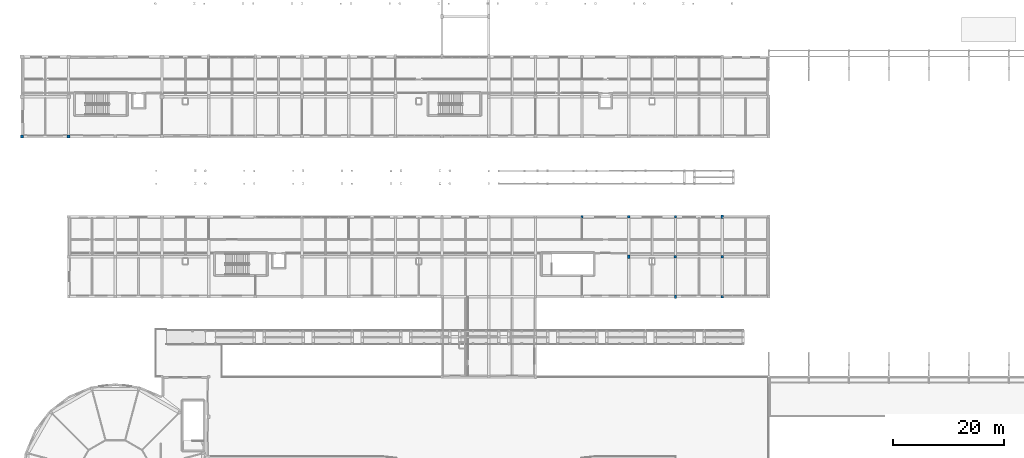
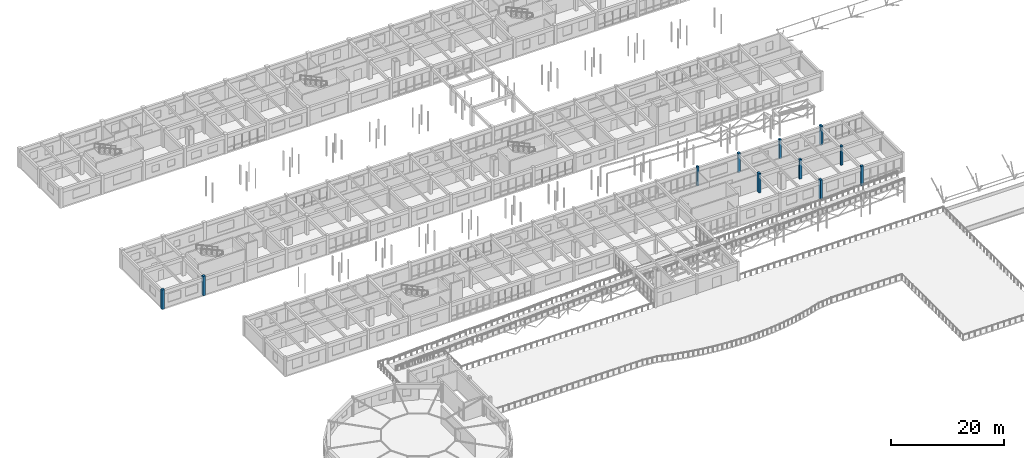
# One storey, part 6 of 90: 11 columns.
"""IFC4 building model written with IfcOpenShell, lengths in metres."""

from ifc_helpers import new_model, si_unit, direction, frame, origin, origin_2d, place, context, subcontext, project, spatial, rectangle, extrude, material, material_profile, profile_set, type_object, element, save


model = new_model("IFC4")

# Units and contexts
model_context = context("Model", 3, precision=1e-05, world=origin(), true_north=direction((0.0, 1.0)))
body_context = subcontext(model_context, "Body", "Model", "MODEL_VIEW")
ifc_project = project(units=[si_unit("LENGTHUNIT", "METRE"), si_unit("AREAUNIT", "SQUARE_METRE"), si_unit("VOLUMEUNIT", "CUBIC_METRE"), si_unit("PLANEANGLEUNIT", "RADIAN"), si_unit("MASSUNIT", "GRAM", prefix="KILO")], contexts=[model_context])

# Site, building, storey
site_placement = place(None, origin())
site = spatial("IfcSite", under=ifc_project, at=site_placement, CompositionType="ELEMENT")
building_placement = place(site_placement, origin())
building = spatial("IfcBuilding", under=site, at=building_placement, Name="Malvenik Polytechnic", CompositionType="ELEMENT")
storey_placement = place(building_placement, frame((0.0, 0.0, 9.300048828125)))
storey = spatial("IfcBuildingStorey", under=building, at=storey_placement, Name="L02", CompositionType="ELEMENT", Elevation=9.300048828125)

# Columns
ifc_material_1 = material(Name="Concrete C35/45", Category="concrete")
ifc_material_profile_1 = material_profile(ifc_material_1, rectangle(XDim=0.5, YDim=0.5, at=origin_2d()), Name="RC COL 500x500")
ifc_profile_set_1 = profile_set([ifc_material_profile_1], Name="Concrete C35/45")
column_type_1 = type_object("IfcColumnType", Name="STR-COL-C-08", PredefinedType="COLUMN", material=ifc_profile_set_1)
for number, where, z_axis, x_axis, name in (
    (1, (0.0, 79.199951171875, 0.0), (0.0, 0.0, 1.0), (1.0, 0.0, 0.0), "Column C-08 L02 (0.0,79.2)"),
    (2, (8.39990234375, 79.199951171875, 0.0), (0.0, 0.0, 1.0), (1.0, 0.0, 0.0), "Column C-08 L02 (8.4,79.2)"),
):
    element("IfcColumn", number, at=place(storey_placement, frame(where, z_axis=z_axis, x_axis=x_axis)), inside=storey, type_object=column_type_1, Name=name, PredefinedType="COLUMN", context=body_context, shape_type="SweptSolid", body=[
        extrude(rectangle(XDim=0.5, YDim=0.5, at=origin_2d()), origin(), (0.0, 0.0, 1.0), 4.199951171875),
    ])
ifc_material_profile_2 = material_profile(ifc_material_1, rectangle(XDim=0.449951171875, YDim=0.449951171875, at=origin_2d()), Name="RC COL 450x450")
ifc_profile_set_2 = profile_set([ifc_material_profile_2], Name="Concrete C35/45")
column_type_2 = type_object("IfcColumnType", Name="STR-COL-C-09", PredefinedType="COLUMN", material=ifc_profile_set_2)
for number, where, z_axis, x_axis, name in (
    (3, (109.199951171875, 64.800048828125, 0.0), (0.0, 0.0, 1.0), (1.0, 0.0, 0.0), "Column C-09 L02 (109.2,64.8)"),
    (4, (117.60009765625, 57.60009765625, 0.0), (0.0, 0.0, 1.0), (1.0, 0.0, 0.0), "Column C-09 L02 (117.6,57.6)"),
    (5, (126.0, 50.39990234375, 0.0), (0.0, 0.0, 1.0), (1.0, 0.0, 0.0), "Column C-09 L02 (126.0,50.4)"),
):
    element("IfcColumn", number, at=place(storey_placement, frame(where, z_axis=z_axis, x_axis=x_axis)), inside=storey, type_object=column_type_2, Name=name, PredefinedType="COLUMN", context=body_context, shape_type="SweptSolid", body=[
        extrude(rectangle(XDim=0.449951171875, YDim=0.449951171875, at=origin_2d()), origin(), (0.0, 0.0, 1.0), 4.199951171875),
    ])
ifc_material_2 = material(Name="Concrete C30/37", Category="concrete")
ifc_material_profile_3 = material_profile(ifc_material_2, rectangle(XDim=0.39990234375, YDim=0.39990234375, at=origin_2d()), Name="RC COL 400x400")
ifc_profile_set_3 = profile_set([ifc_material_profile_3], Name="Concrete C30/37")
column_type_3 = type_object("IfcColumnType", Name="STR-COL-C-10", PredefinedType="COLUMN", material=ifc_profile_set_3)
for number, where, z_axis, x_axis, name in (
    (6, (100.800048828125, 64.800048828125, 0.0), (0.0, 0.0, 1.0), (1.0, 0.0, 0.0), "Column C-10 L02 (100.8,64.8)"),
    (7, (117.60009765625, 64.800048828125, 0.0), (0.0, 0.0, 1.0), (1.0, 0.0, 0.0), "Column C-10 L02 (117.6,64.8)"),
    (8, (126.0, 57.60009765625, 0.0), (0.0, 0.0, 1.0), (1.0, 0.0, 0.0), "Column C-10 L02 (126.0,57.6)"),
):
    element("IfcColumn", number, at=place(storey_placement, frame(where, z_axis=z_axis, x_axis=x_axis)), inside=storey, type_object=column_type_3, Name=name, PredefinedType="COLUMN", context=body_context, shape_type="SweptSolid", body=[
        extrude(rectangle(XDim=0.39990234375, YDim=0.39990234375, at=origin_2d()), origin(), (0.0, 0.0, 1.0), 4.199951171875),
    ])
ifc_material_profile_4 = material_profile(ifc_material_1, rectangle(XDim=0.39990234375, YDim=0.60009765625, at=origin_2d()), Name="RC COL 600x400")
ifc_profile_set_4 = profile_set([ifc_material_profile_4], Name="Concrete C35/45")
column_type_4 = type_object("IfcColumnType", Name="STR-COL-C-15", PredefinedType="COLUMN", material=ifc_profile_set_4)
for number, where, z_axis, x_axis, name in (
    (9, (109.199951171875, 57.60009765625, 0.0), (0.0, 0.0, 1.0), (1.0, 0.0, 0.0), "Column C-15 L02 (109.2,57.6)"),
    (10, (117.60009765625, 50.39990234375, 0.0), (0.0, 0.0, 1.0), (1.0, 0.0, 0.0), "Column C-15 L02 (117.6,50.4)"),
    (11, (126.0, 64.800048828125, 0.0), (0.0, 0.0, 1.0), (1.0, 0.0, 0.0), "Column C-15 L02 (126.0,64.8)"),
):
    element("IfcColumn", number, at=place(storey_placement, frame(where, z_axis=z_axis, x_axis=x_axis)), inside=storey, type_object=column_type_4, Name=name, PredefinedType="COLUMN", context=body_context, shape_type="SweptSolid", body=[
        extrude(rectangle(XDim=0.39990234375, YDim=0.60009765625, at=origin_2d()), origin(), (0.0, 0.0, 1.0), 4.199951171875),
    ])

save(model, "model.ifc")
